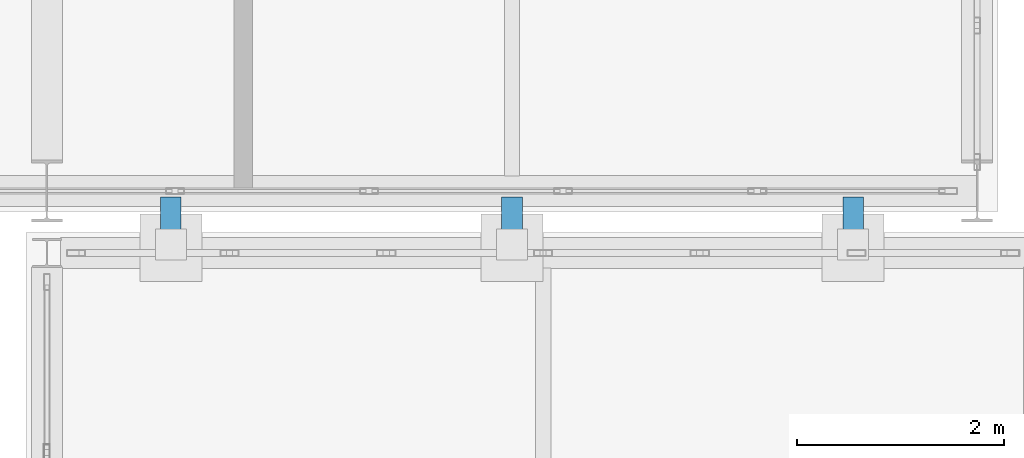
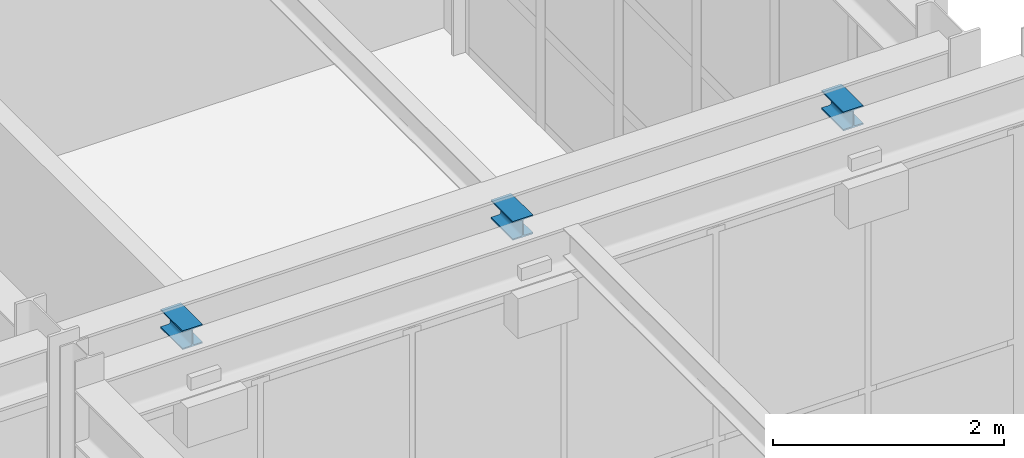
# One storey, part 177 of 239: 3 beams.
"""IFC4 building model written with IfcOpenShell, lengths in metres."""

from ifc_helpers import new_model, si_unit, direction, frame, origin, origin_2d, place, context, subcontext, project, spatial, i_section, extrude, material, material_profile, profile_set, type_object, element, save


model = new_model("IFC4")

# Units and contexts
model_context = context("Model", 3, precision=1e-05, world=origin(), true_north=direction((0.0, 1.0)))
body_context = subcontext(model_context, "Body", "Model", "MODEL_VIEW")
ifc_project = project(units=[si_unit("LENGTHUNIT", "METRE"), si_unit("AREAUNIT", "SQUARE_METRE"), si_unit("VOLUMEUNIT", "CUBIC_METRE"), si_unit("PLANEANGLEUNIT", "RADIAN"), si_unit("MASSUNIT", "GRAM", prefix="KILO")], contexts=[model_context])

# Site, building, storey
site_placement = place(None, origin())
site = spatial("IfcSite", under=ifc_project, at=site_placement, CompositionType="ELEMENT")
building_placement = place(site_placement, origin())
building = spatial("IfcBuilding", under=site, at=building_placement, Name="Kaldris Quays Convention Centre", CompositionType="ELEMENT")
storey_placement = place(building_placement, frame((0.0, 0.0, 11.39990234375)))
storey = spatial("IfcBuildingStorey", under=building, at=storey_placement, Name="L02", CompositionType="ELEMENT", Elevation=11.39990234375)

# Beams
ifc_material = material(Name="Steel S355J2", Category="steel")
ifc_material_profile = material_profile(ifc_material, i_section(OverallWidth=0.199951171875, OverallDepth=0.199951171875, WebThickness=0.009033203125, FlangeThickness=0.014892578125, FilletRadius=0.01806640625, at=origin_2d()), Name="HEB 200")
ifc_profile_set = profile_set([ifc_material_profile], Name="Steel S355J2")
beam_type = type_object("IfcBeamType", Name="STRUCTURAL BEAM SP06", PredefinedType="SPANDREL", material=ifc_profile_set)
for number, where, z_axis, x_axis, name in (
    (1, (156.199951171875, 37.56005859375, 5.01220703125), (0.0, 1.0, 0.0), (-1.0, 0.0, 0.0), "L02 Bridge Cross-Bearer Girder 1"),
    (2, (159.5, 37.56005859375, 5.01220703125), (0.0, 1.0, 0.0), (-1.0, 0.0, 0.0), "L02 Bridge Cross-Bearer Girder 2"),
    (3, (162.800048828125, 37.56005859375, 5.01220703125), (0.0, 1.0, 0.0), (-1.0, 0.0, 0.0), "L02 Bridge Cross-Bearer Girder 3"),
):
    element("IfcBeam", number, at=place(storey_placement, frame(where, z_axis=z_axis, x_axis=x_axis)), inside=storey, type_object=beam_type, Name=name, PredefinedType="SPANDREL", context=body_context, shape_type="SweptSolid", body=[
        extrude(i_section(OverallWidth=0.199951171875, OverallDepth=0.199951171875, WebThickness=0.009033203125, FlangeThickness=0.014892578125, FilletRadius=0.01806640625, at=origin_2d()), origin(), (0.0, 0.0, 1.0), 0.3798828125),
    ])

save(model, "model.ifc")
